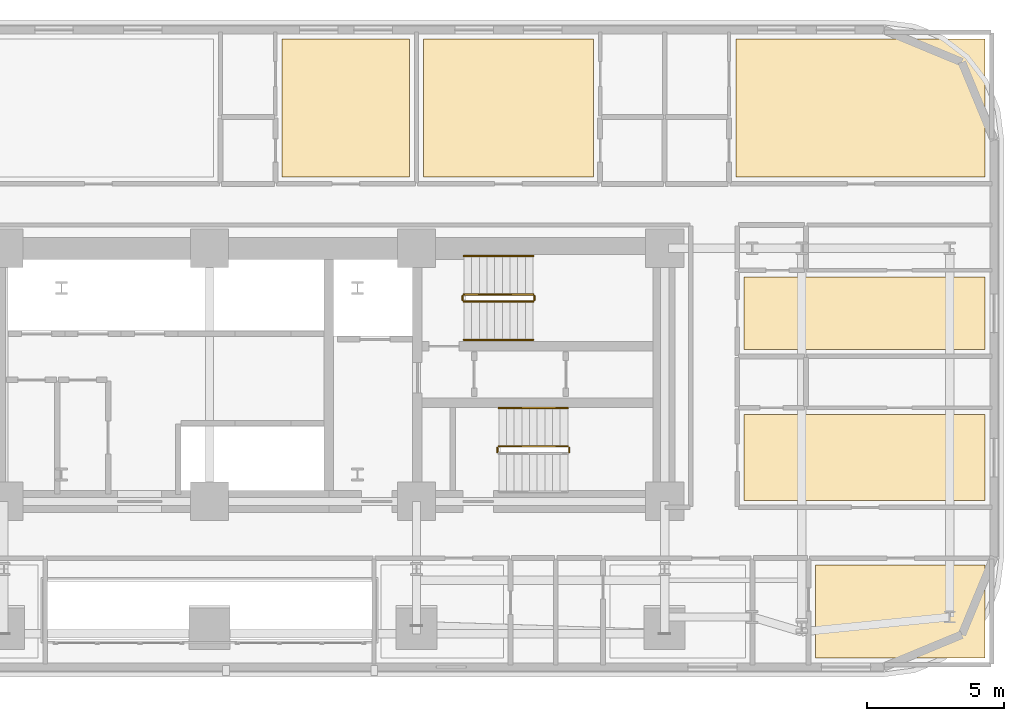
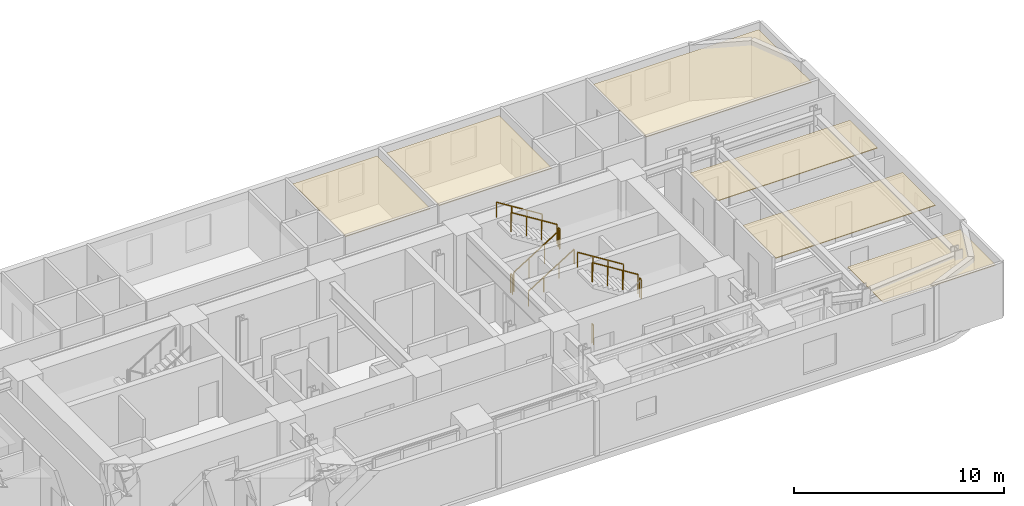
# One storey, part 16 of 16: 10 railings, 6 coverings.
"""IFC4 building model written with IfcOpenShell, lengths in metres."""

from ifc_helpers import new_model, si_unit, direction, frame, origin, origin_2d, place, context, subcontext, project, spatial, polyline, rectangle, outline, extrude, material, layer, layer_set, type_object, element, save


model = new_model("IFC4")

# Units and contexts
model_context = context("Model", 3, precision=1e-05, world=origin(), true_north=direction((0.0, 1.0)))
body_context = subcontext(model_context, "Body", "Model", "MODEL_VIEW")
ifc_project = project(units=[si_unit("LENGTHUNIT", "METRE"), si_unit("AREAUNIT", "SQUARE_METRE"), si_unit("VOLUMEUNIT", "CUBIC_METRE"), si_unit("PLANEANGLEUNIT", "RADIAN"), si_unit("MASSUNIT", "GRAM", prefix="KILO")], contexts=[model_context])

# Site, building, storey
site_placement = place(None, origin())
site = spatial("IfcSite", under=ifc_project, at=site_placement, CompositionType="ELEMENT")
building_placement = place(site_placement, origin())
building = spatial("IfcBuilding", under=site, at=building_placement, Name="Zarnavel Station Tower", CompositionType="ELEMENT")
storey_placement = place(building_placement, frame((0.0, 0.0, 32.5)))
storey = spatial("IfcBuildingStorey", under=building, at=storey_placement, Name="L08", CompositionType="ELEMENT", Elevation=32.5)

# Coverings
ifc_material_1 = material(Name="Perforated Gypsum and Mineral-Wool Acoustic Ceiling", Category="concrete")
ifc_layer = layer(ifc_material_1, 0.0400390625)
ifc_layer_set = layer_set([ifc_layer], Name="COV_CEIL_ACOUSTIC")
covering_type = type_object("IfcCoveringType", Name="COV_CEIL_ACOUSTIC", PredefinedType="CEILING", material=ifc_layer_set)
covering_1_placement = place(storey_placement, frame((0.0, 0.0, 2.919921875)))
element("IfcCovering", 1, at=covering_1_placement, inside=storey, type_object=covering_type, Name="L08 FNE1R Acoustic Ceiling", PredefinedType="CEILING", context=body_context, shape_type="SweptSolid", body=[
    extrude(outline(polyline([(48.300048828125, 27.85009765625), (57.090087890625, 27.85009765625), (57.090087890625, 30.986083984375), (48.300048828125, 30.986083984375), (48.300048828125, 27.85009765625)])), origin(), (0.0, 0.0, 1.0), 0.0400390625),
])
covering_2_placement = place(storey_placement, frame((0.0, 0.0, 2.919921875)))
element("IfcCovering", 2, at=covering_2_placement, inside=storey, type_object=covering_type, Name="L08 FNE2R Acoustic Ceiling", PredefinedType="CEILING", context=body_context, shape_type="SweptSolid", body=[
    extrude(outline(polyline([(48.300048828125, 33.35888671875), (57.090087890625, 33.35888671875), (57.090087890625, 36.0), (48.300048828125, 36.0), (48.300048828125, 33.35888671875)])), origin(), (0.0, 0.0, 1.0), 0.0400390625),
])
covering_3_placement = place(storey_placement, frame((0.0, 0.0, 2.919921875)))
element("IfcCovering", 3, at=covering_3_placement, inside=storey, type_object=covering_type, Name="L08 HN3R Acoustic Ceiling", PredefinedType="CEILING", context=body_context, shape_type="SweptSolid", body=[
    extrude(outline(polyline([(31.450927734375, 39.64990234375), (36.10009765625, 39.64990234375), (36.10009765625, 44.68994140625), (31.450927734375, 44.68994140625), (31.450927734375, 39.64990234375)])), origin(), (0.0, 0.0, 1.0), 0.0400390625),
])
covering_4_placement = place(storey_placement, frame((0.0, 0.0, 2.919921875)))
element("IfcCovering", 4, at=covering_4_placement, inside=storey, type_object=covering_type, Name="L08 HN4R Acoustic Ceiling", PredefinedType="CEILING", context=body_context, shape_type="SweptSolid", body=[
    extrude(outline(polyline([(36.60009765625, 39.64990234375), (42.800048828125, 39.64990234375), (42.800048828125, 44.68994140625), (36.60009765625, 44.68994140625), (36.60009765625, 39.64990234375)])), origin(), (0.0, 0.0, 1.0), 0.0400390625),
])
covering_5_placement = place(storey_placement, frame((0.0, 0.0, 2.919921875)))
element("IfcCovering", 5, at=covering_5_placement, inside=storey, type_object=covering_type, Name="L08 HN5R Acoustic Ceiling", PredefinedType="CEILING", context=body_context, shape_type="SweptSolid", body=[
    extrude(outline(polyline([(48.0, 39.64990234375), (57.090087890625, 39.64990234375), (57.090087890625, 44.68994140625), (48.0, 44.68994140625), (48.0, 39.64990234375)])), origin(), (0.0, 0.0, 1.0), 0.0400390625),
])
covering_6_placement = place(storey_placement, frame((0.0, 0.0, 2.919921875)))
element("IfcCovering", 6, at=covering_6_placement, inside=storey, type_object=covering_type, Name="L08 HE3R Acoustic Ceiling", PredefinedType="CEILING", context=body_context, shape_type="SweptSolid", body=[
    extrude(outline(polyline([(50.89990234375, 22.110107421875), (57.090087890625, 22.110107421875), (57.090087890625, 25.5), (50.89990234375, 25.5), (50.89990234375, 22.110107421875)])), origin(), (0.0, 0.0, 1.0), 0.0400390625),
])

# Railings
ifc_material_2 = material(Name="Painted Steel S355J2 Balustrade", Category="steel")
railing_type_1 = type_object("IfcRailingType", Name="GR_INT_1150", PredefinedType="GUARDRAIL", material=ifc_material_2)
railing_1_placement = place(storey_placement, frame((38.080078125, 35.110107421875, 0.175048828125)))
element("IfcRailing", 7, at=railing_1_placement, inside=storey, type_object=railing_type_1, Name="L08 ST2 stair guard 1", PredefinedType="GUARDRAIL", context=body_context, shape_type="SweptSolid", body=[
    extrude(rectangle(XDim=0.048095703125, YDim=0.048095703125, at=origin_2d()), frame((0.001708984375, 0.0, 1.126953125), z_axis=(0.848007534815, 0.0, 0.529984170421), x_axis=(0.0, 1.0, 0.0)), (0.0, 0.0, 1.0), 2.9677734375),
    extrude(rectangle(XDim=0.0419921875, YDim=0.0419921875, at=origin_2d()), origin(), (0.0, 0.0, 1.0), 1.101806640625),
    extrude(rectangle(XDim=0.0419921875, YDim=0.0419921875, at=origin_2d()), frame((0.840087890625, 0.0, 0.52490234375)), (0.0, 0.0, 1.0), 1.101806640625),
    extrude(rectangle(XDim=0.0419921875, YDim=0.0419921875, at=origin_2d()), frame((1.679931640625, 0.0, 1.050048828125)), (0.0, 0.0, 1.0), 1.101806640625),
    extrude(rectangle(XDim=0.0419921875, YDim=0.0419921875, at=origin_2d()), frame((2.52001953125, 0.0, 1.574951171875)), (0.0, 0.0, 1.0), 1.101806640625),
])
railing_2_placement = place(storey_placement, frame((40.64990234375, 35.159912109375, 1.75)))
element("IfcRailing", 8, at=railing_2_placement, inside=storey, type_object=railing_type_1, Name="L08 ST2 stair guard 2", PredefinedType="GUARDRAIL", context=body_context, shape_type="SweptSolid", body=[
    extrude(rectangle(XDim=0.048095703125, YDim=0.048095703125, at=origin_2d()), frame((0.0, 0.001953125, 1.1259765625), z_axis=(0.0, 1.0, 0.0), x_axis=(-1.0, 0.0, 0.0)), (0.0, 0.0, 1.0), 0.15625),
    extrude(rectangle(XDim=0.0419921875, YDim=0.0419921875, at=origin_2d()), origin(), (0.0, 0.0, 1.0), 1.101806640625),
    extrude(rectangle(XDim=0.0419921875, YDim=0.0419921875, at=origin_2d()), frame((0.0, 0.16015625, 0.0)), (0.0, 0.0, 1.0), 1.101806640625),
])
railing_3_placement = place(storey_placement, frame((40.60009765625, 35.3701171875, 1.925048828125)))
element("IfcRailing", 9, at=railing_3_placement, inside=storey, type_object=railing_type_1, Name="L08 ST2 stair guard 3", PredefinedType="GUARDRAIL", context=body_context, shape_type="SweptSolid", body=[
    extrude(rectangle(XDim=0.048095703125, YDim=0.048095703125, at=origin_2d()), frame((-0.001708984375, 0.0, 1.126953125), z_axis=(-0.848007534815, 0.0, 0.529984170421), x_axis=(0.0, -1.0, 0.0)), (0.0, 0.0, 1.0), 2.9677734375),
    extrude(rectangle(XDim=0.0419921875, YDim=0.0419921875, at=origin_2d()), origin(), (0.0, 0.0, 1.0), 1.101806640625),
    extrude(rectangle(XDim=0.0419921875, YDim=0.0419921875, at=origin_2d()), frame((-0.840087890625, 0.0, 0.52490234375)), (0.0, 0.0, 1.0), 1.101806640625),
    extrude(rectangle(XDim=0.0419921875, YDim=0.0419921875, at=origin_2d()), frame((-1.679931640625, 0.0, 1.050048828125)), (0.0, 0.0, 1.0), 1.101806640625),
    extrude(rectangle(XDim=0.0419921875, YDim=0.0419921875, at=origin_2d()), frame((-2.52001953125, 0.0, 1.574951171875)), (0.0, 0.0, 1.0), 1.101806640625),
])
railing_4_placement = place(storey_placement, frame((38.030029296875, 35.159912109375, 0.0)))
element("IfcRailing", 10, at=railing_4_placement, inside=storey, type_object=railing_type_1, Name="L08 ST2 stair guard 4", PredefinedType="GUARDRAIL", context=body_context, shape_type="SweptSolid", body=[
    extrude(rectangle(XDim=0.048095703125, YDim=0.048095703125, at=origin_2d()), frame((0.0, 0.001953125, 1.1259765625), z_axis=(0.0, 1.0, 0.0), x_axis=(-1.0, 0.0, 0.0)), (0.0, 0.0, 1.0), 0.15625),
    extrude(rectangle(XDim=0.0419921875, YDim=0.0419921875, at=origin_2d()), origin(), (0.0, 0.0, 1.0), 1.101806640625),
    extrude(rectangle(XDim=0.0419921875, YDim=0.0419921875, at=origin_2d()), frame((0.0, 0.16015625, 0.0)), (0.0, 0.0, 1.0), 1.101806640625),
])
railing_5_placement = place(storey_placement, frame((41.919921875, 29.6201171875, 1.75)))
element("IfcRailing", 11, at=railing_5_placement, inside=storey, type_object=railing_type_1, Name="L08 ST3 stair guard 2", PredefinedType="GUARDRAIL", context=body_context, shape_type="SweptSolid", body=[
    extrude(rectangle(XDim=0.048095703125, YDim=0.048095703125, at=origin_2d()), frame((0.0, 0.001953125, 1.1259765625), z_axis=(0.0, 1.0, 0.0), x_axis=(-1.0, 0.0, 0.0)), (0.0, 0.0, 1.0), 0.156005859375),
    extrude(rectangle(XDim=0.0419921875, YDim=0.0419921875, at=origin_2d()), origin(), (0.0, 0.0, 1.0), 1.101806640625),
    extrude(rectangle(XDim=0.0419921875, YDim=0.0419921875, at=origin_2d()), frame((0.0, 0.159912109375, 0.0)), (0.0, 0.0, 1.0), 1.101806640625),
])
railing_6_placement = place(storey_placement, frame((41.8701171875, 29.830078125, 1.925048828125)))
element("IfcRailing", 12, at=railing_6_placement, inside=storey, type_object=railing_type_1, Name="L08 ST3 stair guard 3", PredefinedType="GUARDRAIL", context=body_context, shape_type="SweptSolid", body=[
    extrude(rectangle(XDim=0.048095703125, YDim=0.048095703125, at=origin_2d()), frame((-0.001708984375, 0.0, 1.126953125), z_axis=(-0.848007534815, 0.0, 0.529984170421), x_axis=(0.0, -1.0, 0.0)), (0.0, 0.0, 1.0), 2.9677734375),
    extrude(rectangle(XDim=0.0419921875, YDim=0.0419921875, at=origin_2d()), origin(), (0.0, 0.0, 1.0), 1.101806640625),
    extrude(rectangle(XDim=0.0419921875, YDim=0.0419921875, at=origin_2d()), frame((-0.840087890625, 0.0, 0.52490234375)), (0.0, 0.0, 1.0), 1.101806640625),
    extrude(rectangle(XDim=0.0419921875, YDim=0.0419921875, at=origin_2d()), frame((-1.679931640625, 0.0, 1.050048828125)), (0.0, 0.0, 1.0), 1.101806640625),
    extrude(rectangle(XDim=0.0419921875, YDim=0.0419921875, at=origin_2d()), frame((-2.52001953125, 0.0, 1.574951171875)), (0.0, 0.0, 1.0), 1.101806640625),
])
railing_7_placement = place(storey_placement, frame((39.300048828125, 29.6201171875, 0.0)))
element("IfcRailing", 13, at=railing_7_placement, inside=storey, type_object=railing_type_1, Name="L08 ST3 stair guard 4", PredefinedType="GUARDRAIL", context=body_context, shape_type="SweptSolid", body=[
    extrude(rectangle(XDim=0.048095703125, YDim=0.048095703125, at=origin_2d()), frame((0.0, 0.001953125, 1.1259765625), z_axis=(0.0, 1.0, 0.0), x_axis=(-1.0, 0.0, 0.0)), (0.0, 0.0, 1.0), 0.156005859375),
    extrude(rectangle(XDim=0.0419921875, YDim=0.0419921875, at=origin_2d()), origin(), (0.0, 0.0, 1.0), 1.101806640625),
    extrude(rectangle(XDim=0.0419921875, YDim=0.0419921875, at=origin_2d()), frame((0.0, 0.159912109375, 0.0)), (0.0, 0.0, 1.0), 1.101806640625),
])
ifc_material_3 = material(Name="Brushed Stainless Steel S355J2 Handrail", Category="steel")
railing_type_2 = type_object("IfcRailingType", Name="HR_STAIR_900", PredefinedType="HANDRAIL", material=ifc_material_3)
railing_8_placement = place(storey_placement, frame((38.080078125, 33.7099609375, 0.175048828125)))
element("IfcRailing", 14, at=railing_8_placement, inside=storey, type_object=railing_type_2, Name="L08 ST2 stair handrail 1", PredefinedType="HANDRAIL", context=body_context, shape_type="SweptSolid", body=[
    extrude(rectangle(XDim=0.048095703125, YDim=0.048095703125, at=origin_2d()), frame((0.001708984375, 0.0, 0.876953125), z_axis=(0.848007534815, 0.0, 0.529984170421), x_axis=(0.0, 1.0, 0.0)), (0.0, 0.0, 1.0), 2.9677734375),
    extrude(rectangle(XDim=0.0419921875, YDim=0.0419921875, at=origin_2d()), origin(), (0.0, 0.0, 1.0), 0.851806640625),
    extrude(rectangle(XDim=0.0419921875, YDim=0.0419921875, at=origin_2d()), frame((0.840087890625, 0.0, 0.52490234375)), (0.0, 0.0, 1.0), 0.851806640625),
    extrude(rectangle(XDim=0.0419921875, YDim=0.0419921875, at=origin_2d()), frame((1.679931640625, 0.0, 1.050048828125)), (0.0, 0.0, 1.0), 0.851806640625),
    extrude(rectangle(XDim=0.0419921875, YDim=0.0419921875, at=origin_2d()), frame((2.52001953125, 0.0, 1.574951171875)), (0.0, 0.0, 1.0), 0.851806640625),
])
for number, where, name in (
    (15, (40.60009765625, 36.77001953125, 1.925048828125), "L08 ST2 stair handrail 2"),
    (16, (41.8701171875, 31.22998046875, 1.925048828125), "L08 ST3 stair handrail 2"),
):
    element("IfcRailing", number, at=place(storey_placement, frame(where)), inside=storey, type_object=railing_type_2, Name=name, PredefinedType="HANDRAIL", context=body_context, shape_type="SweptSolid", body=[
        extrude(rectangle(XDim=0.048095703125, YDim=0.048095703125, at=origin_2d()), frame((-0.001708984375, 0.0, 0.876953125), z_axis=(-0.848007534815, 0.0, 0.529984170421), x_axis=(0.0, -1.0, 0.0)), (0.0, 0.0, 1.0), 2.9677734375),
        extrude(rectangle(XDim=0.0419921875, YDim=0.0419921875, at=origin_2d()), origin(), (0.0, 0.0, 1.0), 0.851806640625),
        extrude(rectangle(XDim=0.0419921875, YDim=0.0419921875, at=origin_2d()), frame((-0.840087890625, 0.0, 0.52490234375)), (0.0, 0.0, 1.0), 0.851806640625),
        extrude(rectangle(XDim=0.0419921875, YDim=0.0419921875, at=origin_2d()), frame((-1.679931640625, 0.0, 1.050048828125)), (0.0, 0.0, 1.0), 0.851806640625),
        extrude(rectangle(XDim=0.0419921875, YDim=0.0419921875, at=origin_2d()), frame((-2.52001953125, 0.0, 1.574951171875)), (0.0, 0.0, 1.0), 0.851806640625),
    ])

save(model, "model.ifc")
